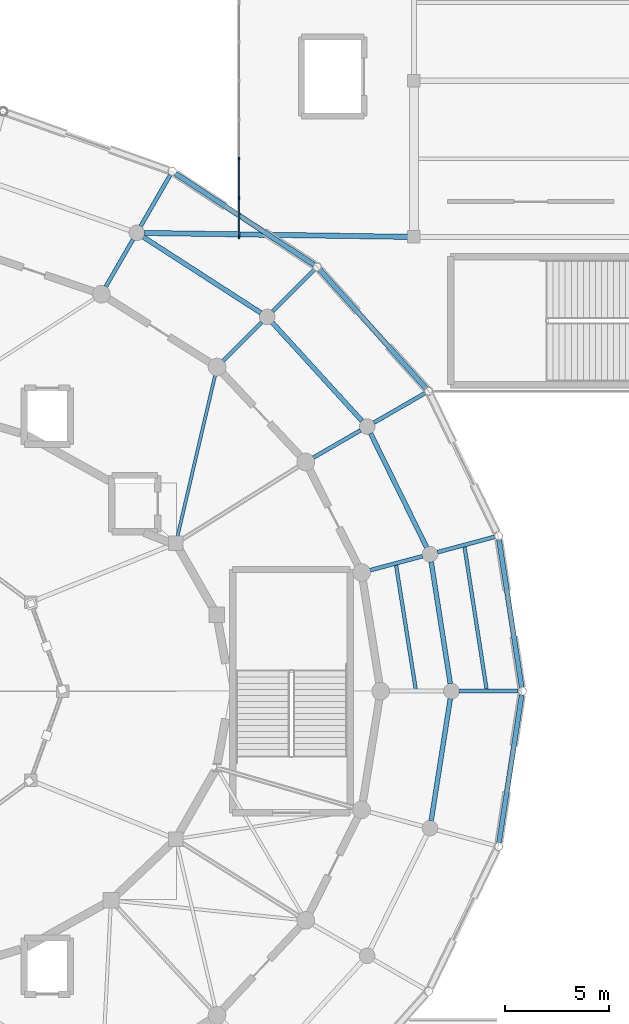
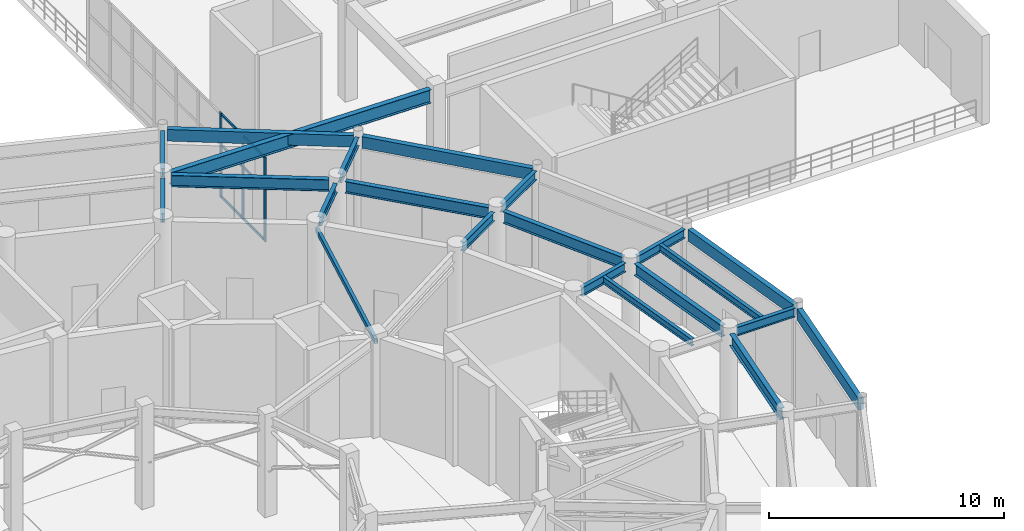
# One storey, part 35 of 93: 21 beams, 10 members, 1 element without a shape of its own.
"""IFC4 building model written with IfcOpenShell, lengths in metres."""

from ifc_helpers import new_model, si_unit, direction, frame, origin, origin_2d, place, context, subcontext, project, spatial, rectangle, hollow_rectangle, i_section, extrude, material, material_profile, profile_set, type_object, element, aggregate, save


model = new_model("IFC4")

# Units and contexts
model_context = context("Model", 3, precision=1e-05, world=origin(), true_north=direction((0.0, 1.0)))
body_context = subcontext(model_context, "Body", "Model", "MODEL_VIEW")
ifc_project = project(units=[si_unit("LENGTHUNIT", "METRE"), si_unit("AREAUNIT", "SQUARE_METRE"), si_unit("VOLUMEUNIT", "CUBIC_METRE"), si_unit("PLANEANGLEUNIT", "RADIAN"), si_unit("MASSUNIT", "GRAM", prefix="KILO")], contexts=[model_context])

# Site, building, storey
site_placement = place(None, origin())
site = spatial("IfcSite", under=ifc_project, at=site_placement, CompositionType="ELEMENT")
building_placement = place(site_placement, origin())
building = spatial("IfcBuilding", under=site, at=building_placement, Name="Cinderbank Siding Concert Hall", CompositionType="ELEMENT")
storey_placement = place(building_placement, origin())
storey = spatial("IfcBuildingStorey", under=building, at=storey_placement, Name="L01", CompositionType="ELEMENT", Elevation=0.0)

# Beams
ifc_material_1 = material(Name="Structural steel AS/NZS 3679.1 Grade 350 (340 MPa)", Category="steel")
ifc_material_profile_1 = material_profile(ifc_material_1, i_section(OverallWidth=0.19091796875, OverallDepth=0.46044921875, WebThickness=0.010009765625, FlangeThickness=0.01611328125, at=origin_2d()), Name="460UB82.1", Category="LoadBearing")
ifc_profile_set_1 = profile_set([ifc_material_profile_1], Name="Structural steel AS/NZS 3679.1 Grade 350 (340 MPa)")
beam_type_1 = type_object("IfcBeamType", Name="BM-UB460H 460UB82.1", PredefinedType="BEAM", material=ifc_profile_set_1)
beam_1_placement = place(storey_placement, frame((148.28955078125, 49.802001953125, 4.891845703125), z_axis=(0.965932222184, 0.258795174118, 0.0), x_axis=(-0.258795174118, 0.965932222184, 0.0)))
element("IfcBeam", 1, at=beam_1_placement, inside=storey, type_object=beam_type_1, Name="L01 Beam BM-UB460H #393", PredefinedType="BEAM", context=body_context, shape_type="SweptSolid", body=[
    extrude(i_section(OverallWidth=0.19091796875, OverallDepth=0.46044921875, WebThickness=0.010009765625, FlangeThickness=0.01611328125, at=origin_2d()), origin(), (0.0, 0.0, 1.0), 2.615966796875),
])
beam_2_placement = place(storey_placement, frame((145.570556640625, 55.20849609375, 4.891845703125), z_axis=(0.866017746076, 0.500013263306, 0.0), x_axis=(-0.500013263306, 0.866017746076, 0.0)))
element("IfcBeam", 2, at=beam_2_placement, inside=storey, type_object=beam_type_1, Name="L01 Beam BM-UB460H #395", PredefinedType="BEAM", context=body_context, shape_type="SweptSolid", body=[
    extrude(i_section(OverallWidth=0.19091796875, OverallDepth=0.46044921875, WebThickness=0.010009765625, FlangeThickness=0.01611328125, at=origin_2d()), origin(), (0.0, 0.0, 1.0), 2.6162109375),
])
for number, where, z_axis, x_axis, name in (
    (3, (141.245361328125, 59.851318359375, 4.891845703125), (0.707153444121, 0.707060115172, 0.0), (-0.707060115172, 0.707153444121, 0.0), "L01 Beam BM-UB460H #396"),
    (4, (135.6083984375, 63.413818359375, 4.891845703125), (0.500053675867, 0.86599441179, 0.0), (-0.86599441179, 0.500053675867, 0.0), "L01 Beam BM-UB460H #397"),
):
    element("IfcBeam", number, at=place(storey_placement, frame(where, z_axis=z_axis, x_axis=x_axis)), inside=storey, type_object=beam_type_1, Name=name, PredefinedType="BEAM", context=body_context, shape_type="SweptSolid", body=[
        extrude(i_section(OverallWidth=0.19091796875, OverallDepth=0.46044921875, WebThickness=0.010009765625, FlangeThickness=0.01611328125, at=origin_2d()), origin(), (0.0, 0.0, 1.0), 2.615966796875),
    ])
for number, where, z_axis, x_axis, name in (
    (5, (152.56689453125, 44.0, 4.871826171875), (1.0, 0.0, 0.0), (0.0, 1.0, 0.0), "L01 Beam BM-UB460H #415"),
    (6, (151.525390625, 50.6689453125, 4.871826171875), (0.965915793318, 0.258856485758, 0.0), (-0.258856485758, 0.965915793318, 0.0), "L01 Beam BM-UB460H #416"),
    (7, (148.4716796875, 56.883544921875, 4.871826171875), (0.866032301043, 0.499988053408, 0.0), (-0.499988053408, 0.866032301043, 0.0), "L01 Beam BM-UB460H #418"),
):
    element("IfcBeam", number, at=place(storey_placement, frame(where, z_axis=z_axis, x_axis=x_axis)), inside=storey, type_object=beam_type_1, Name=name, PredefinedType="BEAM", context=body_context, shape_type="SweptSolid", body=[
        extrude(i_section(OverallWidth=0.19091796875, OverallDepth=0.46044921875, WebThickness=0.010009765625, FlangeThickness=0.01611328125, at=origin_2d()), origin(), (0.0, 0.0, 1.0), 2.837890625),
    ])
beam_3_placement = place(storey_placement, frame((143.614013671875, 62.219970703125, 4.871826171875), z_axis=(0.707106781187, 0.707106781187, 0.0), x_axis=(-0.707106781187, 0.707106781187, 0.0)))
element("IfcBeam", 8, at=beam_3_placement, inside=storey, type_object=beam_type_1, Name="L01 Beam BM-UB460H #419", PredefinedType="BEAM", context=body_context, shape_type="SweptSolid", body=[
    extrude(i_section(OverallWidth=0.19091796875, OverallDepth=0.46044921875, WebThickness=0.010009765625, FlangeThickness=0.01611328125, at=origin_2d()), origin(), (0.0, 0.0, 1.0), 2.838134765625),
])
beam_4_placement = place(storey_placement, frame((137.283447265625, 66.314697265625, 4.871826171875), z_axis=(0.499988053408, 0.866032301043, 0.0), x_axis=(-0.866032301043, 0.499988053408, 0.0)))
element("IfcBeam", 9, at=beam_4_placement, inside=storey, type_object=beam_type_1, Name="L01 Beam BM-UB460H #420", PredefinedType="BEAM", context=body_context, shape_type="SweptSolid", body=[
    extrude(i_section(OverallWidth=0.19091796875, OverallDepth=0.46044921875, WebThickness=0.010009765625, FlangeThickness=0.01611328125, at=origin_2d()), origin(), (0.0, 0.0, 1.0), 2.837890625),
])
ifc_material_profile_2 = material_profile(ifc_material_1, i_section(OverallWidth=0.22802734375, OverallDepth=0.60693359375, WebThickness=0.01123046875, FlangeThickness=0.017333984375, at=origin_2d()), Name="610UB113", Category="LoadBearing")
ifc_profile_set_2 = profile_set([ifc_material_profile_2], Name="Structural steel AS/NZS 3679.1 Grade 350 (340 MPa)")
beam_type_2 = type_object("IfcBeamType", Name="BM-UB610M 610UB113", PredefinedType="BEAM", material=ifc_profile_set_2)
beam_5_placement = place(storey_placement, frame((152.143310546875, 44.362548828125, 4.798583984375), z_axis=(-0.154647347638, 0.9879697353, 0.0), x_axis=(-0.9879697353, -0.154647347638, 0.0)))
element("IfcBeam", 10, at=beam_5_placement, inside=storey, type_object=beam_type_2, Name="L01 Beam BM-UB610M #333", PredefinedType="BEAM", context=body_context, shape_type="SweptSolid", body=[
    extrude(i_section(OverallWidth=0.22802734375, OverallDepth=0.60693359375, WebThickness=0.01123046875, FlangeThickness=0.017333984375, at=origin_2d()), origin(), (0.0, 0.0, 1.0), 5.920166015625),
])
beam_6_placement = place(storey_placement, frame((151.0087890625, 50.9033203125, 4.798583984375), z_axis=(-0.441805555106, 0.89711083567, 0.0), x_axis=(-0.89711083567, -0.441805555106, 0.0)))
element("IfcBeam", 11, at=beam_6_placement, inside=storey, type_object=beam_type_2, Name="L01 Beam BM-UB610M #334", PredefinedType="BEAM", context=body_context, shape_type="SweptSolid", body=[
    extrude(i_section(OverallWidth=0.22802734375, OverallDepth=0.60693359375, WebThickness=0.01123046875, FlangeThickness=0.017333984375, at=origin_2d()), origin(), (0.0, 0.0, 1.0), 6.094482421875),
])
beam_7_placement = place(storey_placement, frame((147.906494140625, 56.97119140625, 4.798583984375), z_axis=(-0.673967477755, 0.738761016113, 0.0), x_axis=(-0.738761016113, -0.673967477755, 0.0)))
element("IfcBeam", 12, at=beam_7_placement, inside=storey, type_object=beam_type_2, Name="L01 Beam BM-UB610M #335", PredefinedType="BEAM", context=body_context, shape_type="SweptSolid", body=[
    extrude(i_section(OverallWidth=0.22802734375, OverallDepth=0.60693359375, WebThickness=0.01123046875, FlangeThickness=0.017333984375, at=origin_2d()), origin(), (0.0, 0.0, 1.0), 6.38671875),
])
beam_8_placement = place(storey_placement, frame((143.046142578125, 62.159423828125, 4.798583984375), z_axis=(-0.840198253685, 0.542279350984, 0.0), x_axis=(-0.542279350984, -0.840198253685, 0.0)))
element("IfcBeam", 13, at=beam_8_placement, inside=storey, type_object=beam_type_2, Name="L01 Beam BM-UB610M #336", PredefinedType="BEAM", context=body_context, shape_type="SweptSolid", body=[
    extrude(i_section(OverallWidth=0.22802734375, OverallDepth=0.60693359375, WebThickness=0.01123046875, FlangeThickness=0.017333984375, at=origin_2d()), origin(), (0.0, 0.0, 1.0), 6.7099609375),
])
beam_9_placement = place(storey_placement, frame((151.227783203125, 37.78857421875, 4.798583984375), z_axis=(0.154647347638, 0.9879697353, 0.0), x_axis=(-0.9879697353, 0.154647347638, 0.0)))
element("IfcBeam", 14, at=beam_9_placement, inside=storey, type_object=beam_type_2, Name="L01 Beam BM-UB610M #356", PredefinedType="BEAM", context=body_context, shape_type="SweptSolid", body=[
    extrude(i_section(OverallWidth=0.22802734375, OverallDepth=0.60693359375, WebThickness=0.01123046875, FlangeThickness=0.017333984375, at=origin_2d()), origin(), (0.0, 0.0, 1.0), 5.920166015625),
])
ifc_material_2 = material(Name="Structural steel welded plate section AS/NZS 3679.2 / AS/NZS 3678 Grade 350 (340 MPa)", Category="steel")
ifc_material_profile_3 = material_profile(ifc_material_2, i_section(OverallWidth=0.25, OverallDepth=0.699951171875, WebThickness=0.010009765625, FlangeThickness=0.01611328125, at=origin_2d()), Name="700WB130", Category="LoadBearing")
ifc_profile_set_3 = profile_set([ifc_material_profile_3], Name="Structural steel welded plate section AS/NZS 3679.2 / AS/NZS 3678 Grade 350 (340 MPa)")
beam_type_3 = type_object("IfcBeamType", Name="BM-WB700 700WB130", PredefinedType="BEAM", material=ifc_profile_set_3)
beam_10_placement = place(storey_placement, frame((137.467041015625, 65.99169921875, 4.751953125), z_axis=(0.999890011565, -0.014831209396, 0.0), x_axis=(0.014831209396, 0.999890011565, 0.0)))
element("IfcBeam", 15, at=beam_10_placement, inside=storey, type_object=beam_type_3, Name="L01 Beam BM-WB700 #1273", PredefinedType="BEAM", context=body_context, shape_type="SweptSolid", body=[
    extrude(i_section(OverallWidth=0.25, OverallDepth=0.699951171875, WebThickness=0.010009765625, FlangeThickness=0.01611328125, at=origin_2d()), origin(), (0.0, 0.0, 1.0), 12.642333984375),
])

# Curtain wall, members
ifc_material_3 = material(Name="Anodised aluminium alloy 6063-T6", Category="aluminium")
curtain_wall_type = type_object("IfcCurtainWallType", Name="CW-16 Unitised Acoustic Curtain Wall 9200x3800", PredefinedType="NOTDEFINED", material=ifc_material_3)
curtain_wall_placement = place(storey_placement, origin())
curtain_wall = element("IfcCurtainWall", 16, at=curtain_wall_placement, inside=storey, type_object=curtain_wall_type, Name="L01 Curtain Wall CW-16 #144", PredefinedType="NOTDEFINED")
ifc_material_profile_4 = material_profile(ifc_material_3, rectangle(XDim=0.06005859375, YDim=0.159912109375, at=origin_2d()), Name="ALU-MULL-60x160", Category="LoadBearing")
ifc_profile_set_4 = profile_set([ifc_material_profile_4], Name="Anodised aluminium alloy 6063-T6")
member_type_1 = type_object("IfcMemberType", Name="CW-ML1 Mullion 60x160", PredefinedType="MULLION", material=ifc_profile_set_4)
member_1_placement = place(storey_placement, frame((142.0, 65.800048828125, 0.0), z_axis=(0.0, 0.0, 1.0), x_axis=(1.0, 0.0, 0.0)))
member_1 = element("IfcMember", 17, at=member_1_placement, type_object=member_type_1, Name="CW-L01-144 Mullion 0", PredefinedType="MULLION", context=body_context, shape_type="SweptSolid", body=[
    extrude(rectangle(XDim=0.06005859375, YDim=0.159912109375, at=origin_2d()), origin(), (0.0, 0.0, 1.0), 4.39990234375),
])
member_2_placement = place(storey_placement, frame((142.0, 67.675048828125, 0.0), z_axis=(0.0, 0.0, 1.0), x_axis=(1.0, 0.0, 0.0)))
member_2 = element("IfcMember", 18, at=member_2_placement, type_object=member_type_1, Name="CW-L01-144 Mullion 1", PredefinedType="MULLION", context=body_context, shape_type="SweptSolid", body=[
    extrude(rectangle(XDim=0.06005859375, YDim=0.159912109375, at=origin_2d()), origin(), (0.0, 0.0, 1.0), 4.39990234375),
])
member_3_placement = place(storey_placement, frame((142.0, 69.550048828125, 0.0), z_axis=(0.0, 0.0, 1.0), x_axis=(1.0, 0.0, 0.0)))
member_3 = element("IfcMember", 19, at=member_3_placement, type_object=member_type_1, Name="CW-L01-144 Mullion 2", PredefinedType="MULLION", context=body_context, shape_type="SweptSolid", body=[
    extrude(rectangle(XDim=0.06005859375, YDim=0.159912109375, at=origin_2d()), origin(), (0.0, 0.0, 1.0), 4.39990234375),
])
ifc_material_profile_5 = material_profile(ifc_material_3, rectangle(XDim=0.06005859375, YDim=0.1201171875, at=origin_2d()), Name="ALU-TRAN-60x120", Category="LoadBearing")
ifc_profile_set_5 = profile_set([ifc_material_profile_5], Name="Anodised aluminium alloy 6063-T6")
member_type_2 = type_object("IfcMemberType", Name="CW-TR1 Transom 60x120", PredefinedType="USERDEFINED", material=ifc_profile_set_5)
member_4_placement = place(storey_placement, frame((142.0, 65.893798828125, 0.06005859375), z_axis=(0.0, 1.0, 0.0), x_axis=(-1.0, 0.0, 0.0)))
member_4 = element("IfcMember", 20, at=member_4_placement, type_object=member_type_2, Name="CW-L01-144 Transom 0-0", ObjectType="TRANSOM", PredefinedType="USERDEFINED", context=body_context, shape_type="SweptSolid", body=[
    extrude(rectangle(XDim=0.06005859375, YDim=0.1201171875, at=origin_2d()), origin(), (0.0, 0.0, 1.0), 1.6875),
])
member_5_placement = place(storey_placement, frame((142.0, 65.893798828125, 2.72802734375), z_axis=(0.0, 1.0, 0.0), x_axis=(-1.0, 0.0, 0.0)))
member_5 = element("IfcMember", 21, at=member_5_placement, type_object=member_type_2, Name="CW-L01-144 Transom 0-1", ObjectType="TRANSOM", PredefinedType="USERDEFINED", context=body_context, shape_type="SweptSolid", body=[
    extrude(rectangle(XDim=0.06005859375, YDim=0.1201171875, at=origin_2d()), origin(), (0.0, 0.0, 1.0), 1.6875),
])
member_6_placement = place(storey_placement, frame((142.0, 65.893798828125, 4.340087890625), z_axis=(0.0, 1.0, 0.0), x_axis=(-1.0, 0.0, 0.0)))
member_6 = element("IfcMember", 22, at=member_6_placement, type_object=member_type_2, Name="CW-L01-144 Transom 0-2", ObjectType="TRANSOM", PredefinedType="USERDEFINED", context=body_context, shape_type="SweptSolid", body=[
    extrude(rectangle(XDim=0.06005859375, YDim=0.1201171875, at=origin_2d()), origin(), (0.0, 0.0, 1.0), 1.6875),
])
member_7_placement = place(storey_placement, frame((142.0, 67.768798828125, 0.06005859375), z_axis=(0.0, 1.0, 0.0), x_axis=(-1.0, 0.0, 0.0)))
member_7 = element("IfcMember", 23, at=member_7_placement, type_object=member_type_2, Name="CW-L01-144 Transom 1-0", ObjectType="TRANSOM", PredefinedType="USERDEFINED", context=body_context, shape_type="SweptSolid", body=[
    extrude(rectangle(XDim=0.06005859375, YDim=0.1201171875, at=origin_2d()), origin(), (0.0, 0.0, 1.0), 1.6875),
])
member_8_placement = place(storey_placement, frame((142.0, 67.768798828125, 2.72802734375), z_axis=(0.0, 1.0, 0.0), x_axis=(-1.0, 0.0, 0.0)))
member_8 = element("IfcMember", 24, at=member_8_placement, type_object=member_type_2, Name="CW-L01-144 Transom 1-1", ObjectType="TRANSOM", PredefinedType="USERDEFINED", context=body_context, shape_type="SweptSolid", body=[
    extrude(rectangle(XDim=0.06005859375, YDim=0.1201171875, at=origin_2d()), origin(), (0.0, 0.0, 1.0), 1.6875),
])
member_9_placement = place(storey_placement, frame((142.0, 67.768798828125, 4.340087890625), z_axis=(0.0, 1.0, 0.0), x_axis=(-1.0, 0.0, 0.0)))
member_9 = element("IfcMember", 25, at=member_9_placement, type_object=member_type_2, Name="CW-L01-144 Transom 1-2", ObjectType="TRANSOM", PredefinedType="USERDEFINED", context=body_context, shape_type="SweptSolid", body=[
    extrude(rectangle(XDim=0.06005859375, YDim=0.1201171875, at=origin_2d()), origin(), (0.0, 0.0, 1.0), 1.6875),
])
aggregate(curtain_wall, [member_1, member_2, member_3, member_4, member_5, member_6, member_7, member_8, member_9])

# Beams
ifc_material_profile_6 = material_profile(ifc_material_1, i_section(OverallWidth=0.172119140625, OverallDepth=0.358642578125, WebThickness=0.008056640625, FlangeThickness=0.012939453125, at=origin_2d()), Name="360UB56.7", Category="LoadBearing")
ifc_profile_set_6 = profile_set([ifc_material_profile_6], Name="Structural steel AS/NZS 3679.1 Grade 350 (340 MPa)")
beam_type_4 = type_object("IfcBeamType", Name="JS-UB360H 360UB56.7", PredefinedType="JOIST", material=ifc_profile_set_6)
beam_11_placement = place(storey_placement, frame((150.486083984375, 44.08837890625, 4.942626953125), z_axis=(-0.156365807053, 0.987699212506, 0.0), x_axis=(-0.987699212506, -0.156365807053, 0.0)))
element("IfcBeam", 26, at=beam_11_placement, inside=storey, type_object=beam_type_4, Name="L01 Beam JS-UB360H #394", PredefinedType="JOIST", context=body_context, shape_type="SweptSolid", body=[
    extrude(i_section(OverallWidth=0.172119140625, OverallDepth=0.358642578125, WebThickness=0.008056640625, FlangeThickness=0.012939453125, at=origin_2d()), origin(), (0.0, 0.0, 1.0), 6.031494140625),
])
beam_12_placement = place(storey_placement, frame((153.88623046875, 44.08837890625, 4.922607421875), z_axis=(-0.153109789384, 0.988209184533, 0.0), x_axis=(-0.988209184533, -0.153109789384, 0.0)))
element("IfcBeam", 27, at=beam_12_placement, inside=storey, type_object=beam_type_4, Name="L01 Beam JS-UB360H #417", PredefinedType="JOIST", context=body_context, shape_type="SweptSolid", body=[
    extrude(i_section(OverallWidth=0.172119140625, OverallDepth=0.358642578125, WebThickness=0.008056640625, FlangeThickness=0.012939453125, at=origin_2d()), origin(), (0.0, 0.0, 1.0), 6.918701171875),
])
ifc_material_4 = material(Name="Spotted gum glulam timber GL18 (42 MPa)", Category="wood")
ifc_material_profile_7 = material_profile(ifc_material_4, rectangle(XDim=0.239990234375, YDim=0.60009765625, at=origin_2d()), Name="GL18-240x600", Category="LoadBearing")
ifc_profile_set_7 = profile_set([ifc_material_profile_7], Name="Spotted gum glulam timber GL18 (42 MPa)")
beam_type_5 = type_object("IfcBeamType", Name="SP-GL600 GL18-240x600", PredefinedType="SPANDREL", material=ifc_profile_set_7)
beam_13_placement = place(storey_placement, frame((155.5703125, 44.19287109375, 4.802001953125), z_axis=(-0.151823720732, 0.988407586891, 0.0), x_axis=(-0.988407586891, -0.151823720732, 0.0)))
element("IfcBeam", 28, at=beam_13_placement, inside=storey, type_object=beam_type_5, Name="L01 Beam SP-GL600 #357", PredefinedType="SPANDREL", context=body_context, shape_type="SweptSolid", body=[
    extrude(rectangle(XDim=0.239990234375, YDim=0.60009765625, at=origin_2d()), origin(), (0.0, 0.0, 1.0), 7.151123046875),
])
beam_14_placement = place(storey_placement, frame((150.96826171875, 58.54541015625, 4.802001953125), z_axis=(-0.66699631625, 0.745061013682, 0.0), x_axis=(-0.745061013682, -0.66699631625, 0.0)))
element("IfcBeam", 29, at=beam_14_placement, inside=storey, type_object=beam_type_5, Name="L01 Beam SP-GL600 #359", PredefinedType="SPANDREL", context=body_context, shape_type="SweptSolid", body=[
    extrude(rectangle(XDim=0.239990234375, YDim=0.60009765625, at=origin_2d()), origin(), (0.0, 0.0, 1.0), 7.615234375),
])
beam_15_placement = place(storey_placement, frame((145.595703125, 64.471923828125, 4.802001953125), z_axis=(-0.835488051266, 0.549508613392, 0.0), x_axis=(-0.549508613392, -0.835488051266, 0.0)))
element("IfcBeam", 30, at=beam_15_placement, inside=storey, type_object=beam_type_5, Name="L01 Beam SP-GL600 #360", PredefinedType="SPANDREL", context=body_context, shape_type="SweptSolid", body=[
    extrude(rectangle(XDim=0.239990234375, YDim=0.60009765625, at=origin_2d()), origin(), (0.0, 0.0, 1.0), 7.9384765625),
])
beam_16_placement = place(storey_placement, frame((154.484619140625, 36.739013671875, 4.802001953125), z_axis=(0.151823720732, 0.988407586891, 0.0), x_axis=(-0.988407586891, 0.151823720732, 0.0)))
element("IfcBeam", 31, at=beam_16_placement, inside=storey, type_object=beam_type_5, Name="L01 Beam SP-GL600 #380", PredefinedType="SPANDREL", context=body_context, shape_type="SweptSolid", body=[
    extrude(rectangle(XDim=0.239990234375, YDim=0.60009765625, at=origin_2d()), origin(), (0.0, 0.0, 1.0), 7.151123046875),
])

# Member
ifc_material_5 = material(Name="Structural steel hollow section AS/NZS 1163 Grade C350L0 (350 MPa)", Category="steel")
ifc_material_profile_8 = material_profile(ifc_material_5, hollow_rectangle(XDim=0.14990234375, YDim=0.25, WallThickness=0.009033203125, at=origin_2d()), Name="250x150x9.0RHS", Category="LoadBearing")
ifc_profile_set_8 = profile_set([ifc_material_profile_8], Name="Structural steel hollow section AS/NZS 1163 Grade C350L0 (350 MPa)")
member_type_3 = type_object("IfcMemberType", Name="TR-RHS250 250x150x9.0RHS Roof Truss", PredefinedType="RAFTER", material=ifc_profile_set_8)
member_10_placement = place(storey_placement, frame((138.97412109375, 51.10009765625, 4.780029296875), z_axis=(0.227577092084, 0.973760066525, 0.0), x_axis=(-0.973760066525, 0.227577092084, 0.0)))
element("IfcMember", 32, at=member_10_placement, inside=storey, type_object=member_type_3, Name="L01 Roof Truss Member TR-RHS250 #2180", PredefinedType="RAFTER", context=body_context, shape_type="SweptSolid", body=[
    extrude(hollow_rectangle(XDim=0.14990234375, YDim=0.25, WallThickness=0.009033203125, at=origin_2d()), origin(), (0.0, 0.0, 1.0), 8.68408203125),
])

save(model, "model.ifc")
